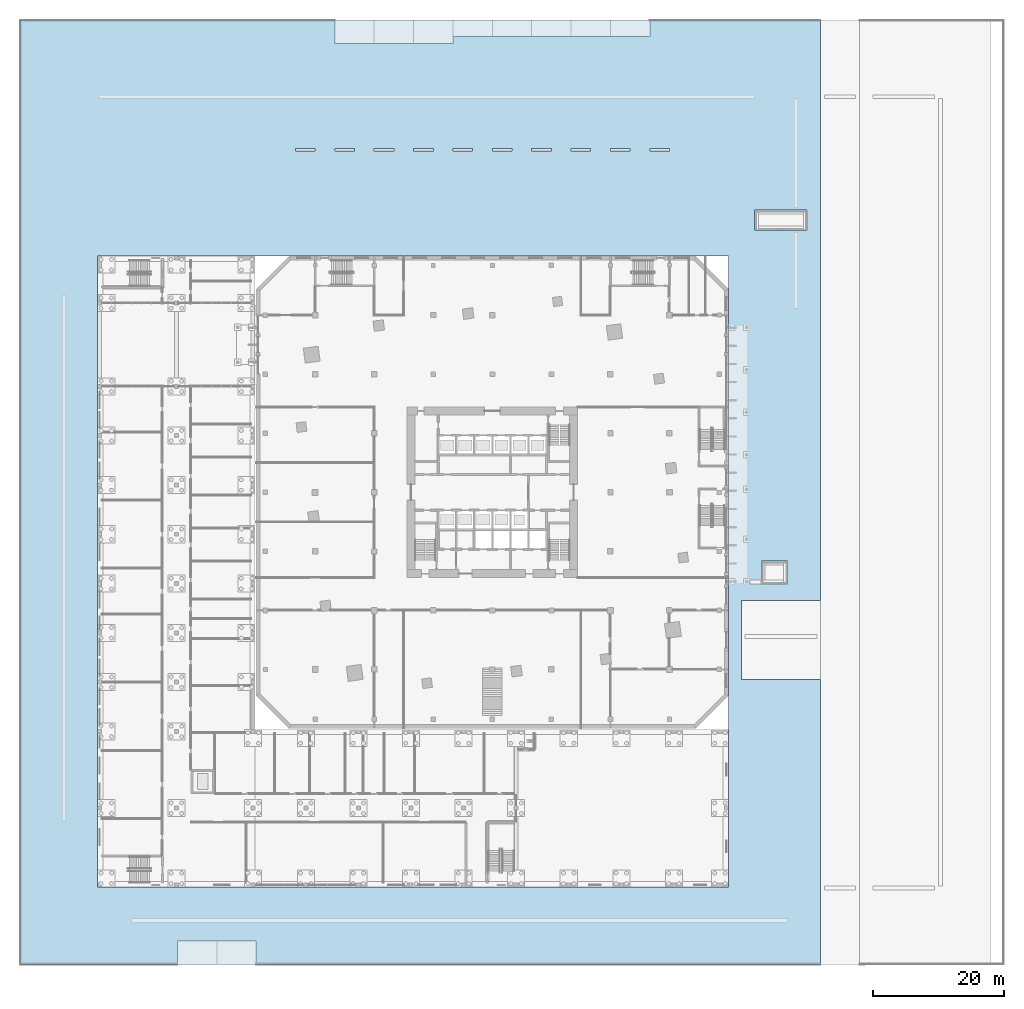
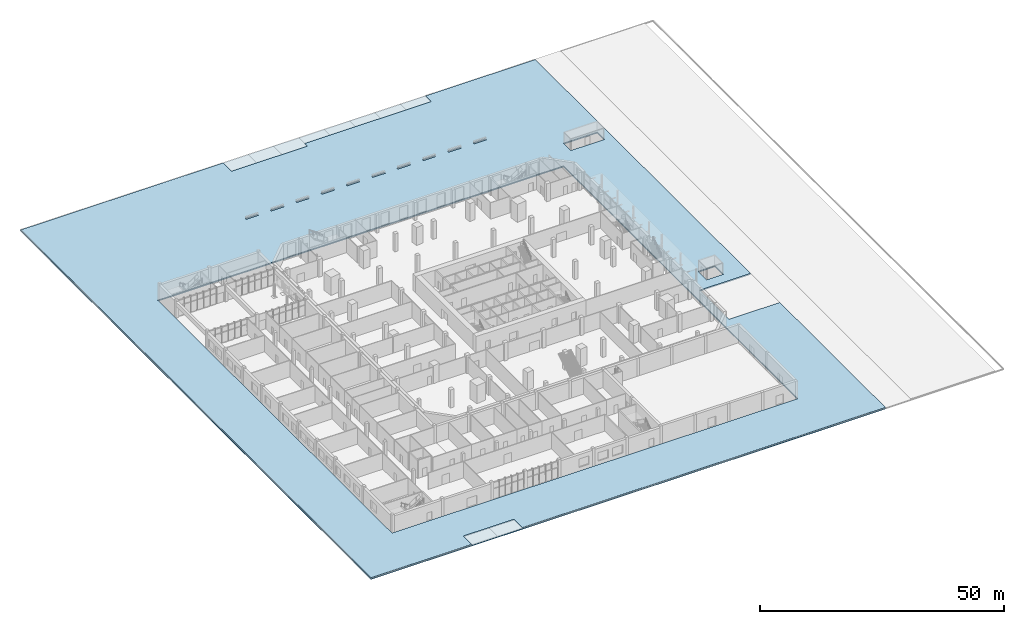
# One storey, part 19 of 42: 2 slabs.
"""IFC4 building model written with IfcOpenShell, lengths in metres."""

from ifc_helpers import new_model, si_unit, direction, frame, origin, place, context, subcontext, project, spatial, polyline, outline, extrude, material, layer, layer_set, type_object, element, save


model = new_model("IFC4")

# Units and contexts
model_context = context("Model", 3, precision=1e-05, world=origin(), true_north=direction((0.0, 1.0)))
body_context = subcontext(model_context, "Body", "Model", "MODEL_VIEW")
ifc_project = project(units=[si_unit("LENGTHUNIT", "METRE"), si_unit("AREAUNIT", "SQUARE_METRE"), si_unit("VOLUMEUNIT", "CUBIC_METRE"), si_unit("PLANEANGLEUNIT", "RADIAN"), si_unit("MASSUNIT", "GRAM", prefix="KILO")], contexts=[model_context])

# Site, building, storey
site_placement = place(None, origin())
site = spatial("IfcSite", under=ifc_project, at=site_placement, CompositionType="ELEMENT")
building_placement = place(site_placement, origin())
building = spatial("IfcBuilding", under=site, at=building_placement, Name="Dilmun Exchange Tower", CompositionType="ELEMENT")
storey_placement = place(building_placement, origin())
storey = spatial("IfcBuildingStorey", under=building, at=storey_placement, Name="L00", CompositionType="ELEMENT", Elevation=0.0)

# Slabs
ifc_material_1 = material(Name="Concrete C20/25", Category="concrete")
ifc_layer_1 = layer(ifc_material_1, 0.179931640625)
ifc_layer_set_1 = layer_set([ifc_layer_1], Name="Concrete C20/25")
slab_type_1 = type_object("IfcSlabType", Name="Paving sub-base 180 concrete", PredefinedType="USERDEFINED", material=ifc_layer_set_1)
slab_1_placement = place(storey_placement, frame((0.0, 0.0, -0.330078125)))
element("IfcSlab", 1, at=slab_1_placement, inside=storey, type_object=slab_type_1, Name="Paving sub-base", ObjectType="PAVING", PredefinedType="USERDEFINED", context=body_context, shape_type="SweptSolid", body=[
    extrude(outline(polyline([(-72.0, 72.0), (-71.85009765625, 72.0), (-24.0, 72.0), (-18.0, 72.0), (-12.0, 72.0), (-6.0, 72.0), (0.0, 72.0), (6.0, 72.0), (12.0, 72.0), (18.0, 72.0), (24.0, 72.0), (50.0, 72.0), (50.0, 71.85009765625), (50.0, -16.5), (38.0, -16.5), (38.0, -28.5), (50.0, -28.5), (50.0, -71.85009765625), (50.0, -72.0), (-36.0, -72.0), (-42.0, -72.0), (-48.0, -72.0), (-71.85009765625, -72.0), (-72.0, -72.0), (-72.0, -71.85009765625), (-72.0, 71.85009765625), (-72.0, 72.0)]), holes=[polyline([(48.0, 40.0), (48.0, 43.0), (40.0, 43.0), (40.0, 40.0), (48.0, 40.0)]), polyline([(39.300048828125, -13.39990234375), (39.300048828125, -14.0), (41.0, -14.0), (41.60009765625, -14.0), (45.0, -14.0), (45.0, -10.5), (41.0, -10.5), (41.0, -13.39990234375), (39.300048828125, -13.39990234375)]), polyline([(-36.14990234375, 36.0), (-60.14990234375, 36.0), (-60.14990234375, -60.14990234375), (-36.14990234375, -60.14990234375), (36.0, -60.14990234375), (36.0, -36.14990234375), (36.0, -31.0), (36.0, 31.0), (36.0, 36.0), (31.0, 36.0), (-31.0, 36.0), (-36.14990234375, 36.0)]), polyline([(27.0, 52.0), (27.0, 52.39990234375), (24.0, 52.39990234375), (24.0, 52.0), (27.0, 52.0)]), polyline([(21.0, 52.0), (21.0, 52.39990234375), (18.0, 52.39990234375), (18.0, 52.0), (21.0, 52.0)]), polyline([(15.0, 52.0), (15.0, 52.39990234375), (12.0, 52.39990234375), (12.0, 52.0), (15.0, 52.0)]), polyline([(9.0, 52.0), (9.0, 52.39990234375), (6.0, 52.39990234375), (6.0, 52.0), (9.0, 52.0)]), polyline([(3.0, 52.0), (3.0, 52.39990234375), (0.0, 52.39990234375), (0.0, 52.0), (3.0, 52.0)]), polyline([(-3.0, 52.0), (-3.0, 52.39990234375), (-6.0, 52.39990234375), (-6.0, 52.0), (-3.0, 52.0)]), polyline([(-9.0, 52.0), (-9.0, 52.39990234375), (-12.0, 52.39990234375), (-12.0, 52.0), (-9.0, 52.0)]), polyline([(-15.0, 52.0), (-15.0, 52.39990234375), (-18.0, 52.39990234375), (-18.0, 52.0), (-15.0, 52.0)]), polyline([(-21.0, 52.0), (-21.0, 52.39990234375), (-24.0, 52.39990234375), (-24.0, 52.0), (-21.0, 52.0)]), polyline([(-27.0, 52.0), (-27.0, 52.39990234375), (-30.0, 52.39990234375), (-30.0, 52.0), (-27.0, 52.0)])]), origin(), (0.0, 0.0, 1.0), 0.18017578125),
])
ifc_material_2 = material(Name="Granite paving on Concrete C20/25 bed", Category="masonry")
ifc_layer_2 = layer(ifc_material_2, 0.14990234375)
ifc_layer_set_2 = layer_set([ifc_layer_2], Name="Granite paving on Concrete C20/25 bed")
slab_type_2 = type_object("IfcSlabType", Name="Plaza paving 150 granite setts", PredefinedType="USERDEFINED", material=ifc_layer_set_2)
slab_2_placement = place(storey_placement, frame((0.0, 0.0, -0.14990234375)))
element("IfcSlab", 2, at=slab_2_placement, inside=storey, type_object=slab_type_2, Name="Plaza paving", ObjectType="PAVING", PredefinedType="USERDEFINED", context=body_context, shape_type="SweptSolid", body=[
    extrude(outline(polyline([(-48.0, -68.39990234375), (-48.0, -71.85009765625), (-71.85009765625, -71.85009765625), (-71.85009765625, 71.85009765625), (-24.0, 71.85009765625), (-24.0, 68.39990234375), (-18.0, 68.39990234375), (-12.0, 68.39990234375), (-6.0, 68.39990234375), (-6.0, 69.5), (0.0, 69.5), (6.0, 69.5), (12.0, 69.5), (18.0, 69.5), (24.0, 69.5), (24.0, 71.85009765625), (50.0, 71.85009765625), (50.0, -16.5), (38.0, -16.5), (38.0, -28.5), (50.0, -28.5), (50.0, -71.85009765625), (-36.0, -71.85009765625), (-36.0, -68.39990234375), (-42.0, -68.39990234375), (-48.0, -68.39990234375)]), holes=[polyline([(36.0, -60.14990234375), (36.0, -36.14990234375), (36.0, -31.0), (36.0, 31.0), (36.0, 36.0), (31.0, 36.0), (-31.0, 36.0), (-36.14990234375, 36.0), (-60.14990234375, 36.0), (-60.14990234375, -60.14990234375), (-36.14990234375, -60.14990234375), (36.0, -60.14990234375)]), polyline([(-27.0, 52.39990234375), (-30.0, 52.39990234375), (-30.0, 52.0), (-27.0, 52.0), (-27.0, 52.39990234375)]), polyline([(-21.0, 52.39990234375), (-24.0, 52.39990234375), (-24.0, 52.0), (-21.0, 52.0), (-21.0, 52.39990234375)]), polyline([(-15.0, 52.39990234375), (-18.0, 52.39990234375), (-18.0, 52.0), (-15.0, 52.0), (-15.0, 52.39990234375)]), polyline([(-9.0, 52.39990234375), (-12.0, 52.39990234375), (-12.0, 52.0), (-9.0, 52.0), (-9.0, 52.39990234375)]), polyline([(-3.0, 52.39990234375), (-6.0, 52.39990234375), (-6.0, 52.0), (-3.0, 52.0), (-3.0, 52.39990234375)]), polyline([(3.0, 52.39990234375), (0.0, 52.39990234375), (0.0, 52.0), (3.0, 52.0), (3.0, 52.39990234375)]), polyline([(45.0, -10.5), (41.0, -10.5), (41.0, -14.0), (45.0, -14.0), (45.0, -10.5)]), polyline([(48.0, 43.0), (40.0, 43.0), (40.0, 40.0), (48.0, 40.0), (48.0, 43.0)]), polyline([(9.0, 52.39990234375), (6.0, 52.39990234375), (6.0, 52.0), (9.0, 52.0), (9.0, 52.39990234375)]), polyline([(15.0, 52.39990234375), (12.0, 52.39990234375), (12.0, 52.0), (15.0, 52.0), (15.0, 52.39990234375)]), polyline([(21.0, 52.39990234375), (18.0, 52.39990234375), (18.0, 52.0), (21.0, 52.0), (21.0, 52.39990234375)]), polyline([(27.0, 52.39990234375), (24.0, 52.39990234375), (24.0, 52.0), (27.0, 52.0), (27.0, 52.39990234375)])]), origin(), (0.0, 0.0, 1.0), 0.14990234375),
])

save(model, "model.ifc")
